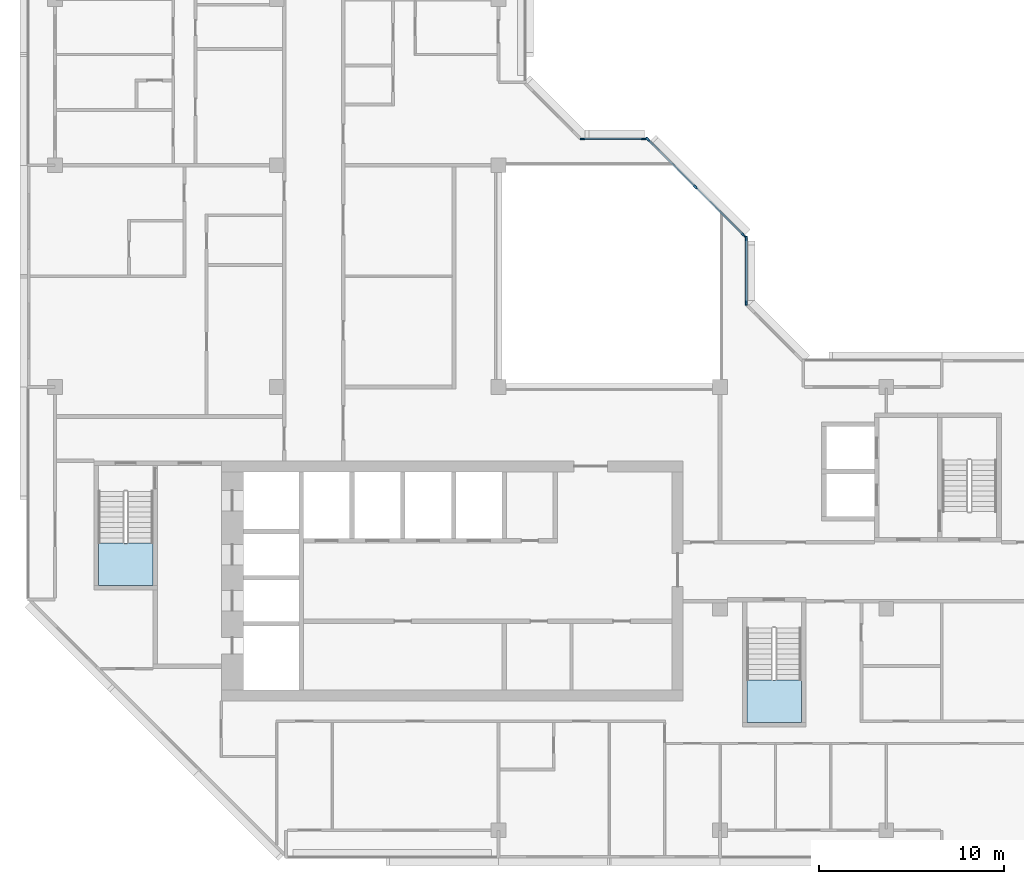
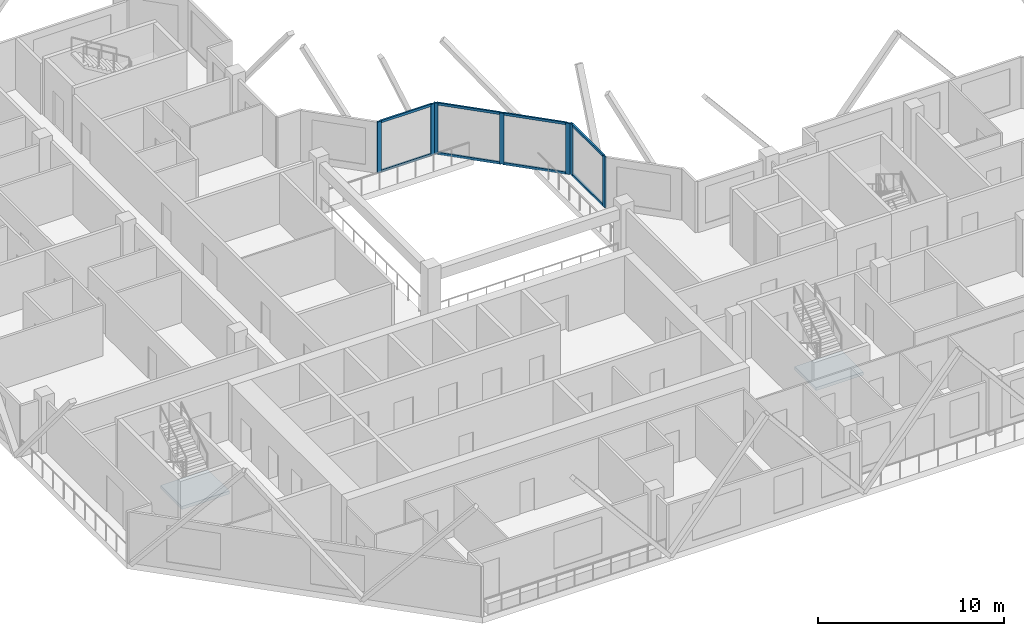
# One storey, part 2 of 13: 15 members, 2 slabs, 5 elements without a shape of their own.
"""IFC4 building model written with IfcOpenShell, lengths in metres."""

from ifc_helpers import new_model, si_unit, direction, frame, origin, origin_2d, place, context, subcontext, project, spatial, polyline, rectangle, outline, extrude, material, layer, layer_set, material_profile, profile_set, type_object, element, aggregate, save


model = new_model("IFC4")

# Units and contexts
model_context = context("Model", 3, precision=1e-05, world=origin(), true_north=direction((0.0, 1.0)))
body_context = subcontext(model_context, "Body", "Model", "MODEL_VIEW")
ifc_project = project(units=[si_unit("LENGTHUNIT", "METRE"), si_unit("AREAUNIT", "SQUARE_METRE"), si_unit("VOLUMEUNIT", "CUBIC_METRE"), si_unit("PLANEANGLEUNIT", "RADIAN"), si_unit("MASSUNIT", "GRAM", prefix="KILO")], contexts=[model_context])

# Site, building, storey
site_placement = place(None, origin())
site = spatial("IfcSite", under=ifc_project, at=site_placement, CompositionType="ELEMENT")
building_placement = place(site_placement, origin())
building = spatial("IfcBuilding", under=site, at=building_placement, Name="Chenar Terraces", CompositionType="ELEMENT")
storey_placement = place(building_placement, frame((0.0, 0.0, 295.89990234375)))
storey = spatial("IfcBuildingStorey", under=building, at=storey_placement, Name="L69", CompositionType="ELEMENT", Elevation=295.89990234375)

# Curtain wall, members
ifc_material_1 = material(Name="Aluminium framed glazing", Category="aluminium")
ifc_layer_1 = layer(ifc_material_1, 0.14990234375)
ifc_layer_set_1 = layer_set([ifc_layer_1], Name="Aluminium framed glazing")
curtain_wall_type = type_object("IfcCurtainWallType", Name="Atrium upper-zone curtain wall", PredefinedType="NOTDEFINED", material=ifc_layer_set_1)
placement_1 = place(storey_placement, origin())
curtain_wall_1 = element("IfcCurtainWall", 1, at=placement_1, inside=storey, type_object=curtain_wall_type, Name="Atrium upper-zone curtain wall", PredefinedType="NOTDEFINED")
ifc_material_2 = material(Name="Aluminium", Category="aluminium")
ifc_material_profile_1 = material_profile(ifc_material_2, rectangle(XDim=0.10009765625, YDim=0.239990234375, at=origin_2d()), Name="Atrium upper-zone glazing mullion 100 x 240")
ifc_profile_set_1 = profile_set([ifc_material_profile_1], Name="Aluminium")
member_type_1 = type_object("IfcMemberType", Name="Atrium upper-zone glazing mullion 100 x 240", PredefinedType="MULLION", material=ifc_profile_set_1)
member_1_placement = place(storey_placement, frame((37.425048828125, 28.550048828125, 0.0), z_axis=(0.0, 0.0, 1.0), x_axis=(-1.0, 0.0, 0.0)))
member_1 = element("IfcMember", 2, at=member_1_placement, type_object=member_type_1, Name="CW8-1 mullion 1", PredefinedType="MULLION", context=body_context, shape_type="SweptSolid", body=[
    extrude(rectangle(XDim=0.10009765625, YDim=0.239990234375, at=origin_2d()), origin(), (0.0, 0.0, 1.0), 3.35009765625),
])
member_2_placement = place(storey_placement, frame((37.425048828125, 32.050048828125, 0.0), z_axis=(0.0, 0.0, 1.0), x_axis=(-1.0, 0.0, 0.0)))
member_2 = element("IfcMember", 3, at=member_2_placement, type_object=member_type_1, Name="CW8-1 mullion 2", PredefinedType="MULLION", context=body_context, shape_type="SweptSolid", body=[
    extrude(rectangle(XDim=0.10009765625, YDim=0.239990234375, at=origin_2d()), origin(), (0.0, 0.0, 1.0), 3.35009765625),
])

curtain_wall_2 = element("IfcCurtainWall", 4, at=placement_1, inside=storey, type_object=curtain_wall_type, Name="Atrium upper-zone curtain wall", PredefinedType="NOTDEFINED")
member_3_placement = place(storey_placement, frame((37.270263671875, 32.2236328125, 0.0), z_axis=(0.0, 0.0, 1.0), x_axis=(-0.707106781187, -0.707106781187, 0.0)))
member_3 = element("IfcMember", 5, at=member_3_placement, type_object=member_type_1, Name="CW8-2 mullion 1", PredefinedType="MULLION", context=body_context, shape_type="SweptSolid", body=[
    extrude(rectangle(XDim=0.10009765625, YDim=0.239990234375, at=origin_2d()), origin(), (0.0, 0.0, 1.0), 3.35009765625),
])
member_4_placement = place(storey_placement, frame((34.67626953125, 34.817626953125, 0.0), z_axis=(0.0, 0.0, 1.0), x_axis=(-0.707106781187, -0.707106781187, 0.0)))
member_4 = element("IfcMember", 6, at=member_4_placement, type_object=member_type_1, Name="CW8-2 mullion 2", PredefinedType="MULLION", context=body_context, shape_type="SweptSolid", body=[
    extrude(rectangle(XDim=0.10009765625, YDim=0.239990234375, at=origin_2d()), origin(), (0.0, 0.0, 1.0), 3.35009765625),
])
member_5_placement = place(storey_placement, frame((32.082275390625, 37.41162109375, 0.0), z_axis=(0.0, 0.0, 1.0), x_axis=(-0.707106781187, -0.707106781187, 0.0)))
member_5 = element("IfcMember", 7, at=member_5_placement, type_object=member_type_1, Name="CW8-2 mullion 3", PredefinedType="MULLION", context=body_context, shape_type="SweptSolid", body=[
    extrude(rectangle(XDim=0.10009765625, YDim=0.239990234375, at=origin_2d()), origin(), (0.0, 0.0, 1.0), 3.35009765625),
])

curtain_wall_3 = element("IfcCurtainWall", 8, at=placement_1, inside=storey, type_object=curtain_wall_type, Name="Atrium upper-zone curtain wall", PredefinedType="NOTDEFINED")
member_6_placement = place(storey_placement, frame((31.85009765625, 37.425048828125, 0.0), z_axis=(0.0, 0.0, 1.0), x_axis=(0.0, -1.0, 0.0)))
member_6 = element("IfcMember", 9, at=member_6_placement, type_object=member_type_1, Name="CW8-3 mullion 1", PredefinedType="MULLION", context=body_context, shape_type="SweptSolid", body=[
    extrude(rectangle(XDim=0.10009765625, YDim=0.239990234375, at=origin_2d()), origin(), (0.0, 0.0, 1.0), 3.35009765625),
])
member_7_placement = place(storey_placement, frame((28.550048828125, 37.425048828125, 0.0), z_axis=(0.0, 0.0, 1.0), x_axis=(0.0, -1.0, 0.0)))
member_7 = element("IfcMember", 10, at=member_7_placement, type_object=member_type_1, Name="CW8-3 mullion 2", PredefinedType="MULLION", context=body_context, shape_type="SweptSolid", body=[
    extrude(rectangle(XDim=0.10009765625, YDim=0.239990234375, at=origin_2d()), origin(), (0.0, 0.0, 1.0), 3.35009765625),
])

# Member
ifc_material_3 = material(Name="Aluminium", Category="aluminium")
ifc_material_profile_2 = material_profile(ifc_material_3, rectangle(XDim=0.10009765625, YDim=0.159912109375, at=origin_2d()), Name="Atrium upper-zone glazing transom 100 x 160")
ifc_profile_set_2 = profile_set([ifc_material_profile_2], Name="Aluminium")
member_type_2 = type_object("IfcMemberType", Name="Atrium upper-zone glazing transom 100 x 160", PredefinedType="USERDEFINED", material=ifc_profile_set_2)
member_8_placement = place(storey_placement, frame((37.425048828125, 28.60009765625, 0.050048828125), z_axis=(0.0, 1.0, 0.0), x_axis=(-1.0, 0.0, 0.0)))
member_8 = element("IfcMember", 11, at=member_8_placement, type_object=member_type_2, Name="CW8-1 transom 1.1", ObjectType="TRANSOM", PredefinedType="USERDEFINED", context=body_context, shape_type="SweptSolid", body=[
    extrude(rectangle(XDim=0.10009765625, YDim=0.159912109375, at=origin_2d()), origin(), (0.0, 0.0, 1.0), 3.39990234375),
])

member_9_placement = place(storey_placement, frame((37.425048828125, 28.60009765625, 3.300048828125), z_axis=(0.0, 1.0, 0.0), x_axis=(-1.0, 0.0, 0.0)))
member_9 = element("IfcMember", 12, at=member_9_placement, type_object=member_type_2, Name="CW8-1 transom 1.2", ObjectType="TRANSOM", PredefinedType="USERDEFINED", context=body_context, shape_type="SweptSolid", body=[
    extrude(rectangle(XDim=0.10009765625, YDim=0.159912109375, at=origin_2d()), origin(), (0.0, 0.0, 1.0), 3.39990234375),
])

aggregate(curtain_wall_1, [member_1, member_2, member_8, member_9])

member_10_placement = place(storey_placement, frame((37.23486328125, 32.259033203125, 0.050048828125), z_axis=(-0.707106781187, 0.707106781187, 0.0), x_axis=(-0.707106781187, -0.707106781187, 0.0)))
member_10 = element("IfcMember", 13, at=member_10_placement, type_object=member_type_2, Name="CW8-2 transom 1.1", ObjectType="TRANSOM", PredefinedType="USERDEFINED", context=body_context, shape_type="SweptSolid", body=[
    extrude(rectangle(XDim=0.10009765625, YDim=0.159912109375, at=origin_2d()), origin(), (0.0, 0.0, 1.0), 3.568359375),
])

member_11_placement = place(storey_placement, frame((37.23486328125, 32.259033203125, 3.300048828125), z_axis=(-0.707106781187, 0.707106781187, 0.0), x_axis=(-0.707106781187, -0.707106781187, 0.0)))
member_11 = element("IfcMember", 14, at=member_11_placement, type_object=member_type_2, Name="CW8-2 transom 1.2", ObjectType="TRANSOM", PredefinedType="USERDEFINED", context=body_context, shape_type="SweptSolid", body=[
    extrude(rectangle(XDim=0.10009765625, YDim=0.159912109375, at=origin_2d()), origin(), (0.0, 0.0, 1.0), 3.568359375),
])

member_12_placement = place(storey_placement, frame((34.640869140625, 34.85302734375, 0.050048828125), z_axis=(-0.707106781187, 0.707106781187, 0.0), x_axis=(-0.707106781187, -0.707106781187, 0.0)))
member_12 = element("IfcMember", 15, at=member_12_placement, type_object=member_type_2, Name="CW8-2 transom 2.1", ObjectType="TRANSOM", PredefinedType="USERDEFINED", context=body_context, shape_type="SweptSolid", body=[
    extrude(rectangle(XDim=0.10009765625, YDim=0.159912109375, at=origin_2d()), origin(), (0.0, 0.0, 1.0), 3.568359375),
])

member_13_placement = place(storey_placement, frame((34.640869140625, 34.85302734375, 3.300048828125), z_axis=(-0.707106781187, 0.707106781187, 0.0), x_axis=(-0.707106781187, -0.707106781187, 0.0)))
member_13 = element("IfcMember", 16, at=member_13_placement, type_object=member_type_2, Name="CW8-2 transom 2.2", ObjectType="TRANSOM", PredefinedType="USERDEFINED", context=body_context, shape_type="SweptSolid", body=[
    extrude(rectangle(XDim=0.10009765625, YDim=0.159912109375, at=origin_2d()), origin(), (0.0, 0.0, 1.0), 3.568359375),
])

aggregate(curtain_wall_2, [member_3, member_4, member_5, member_10, member_11, member_12, member_13])

member_14_placement = place(storey_placement, frame((31.800048828125, 37.425048828125, 0.050048828125), z_axis=(-1.0, 0.0, 0.0), x_axis=(0.0, -1.0, 0.0)))
member_14 = element("IfcMember", 17, at=member_14_placement, type_object=member_type_2, Name="CW8-3 transom 1.1", ObjectType="TRANSOM", PredefinedType="USERDEFINED", context=body_context, shape_type="SweptSolid", body=[
    extrude(rectangle(XDim=0.10009765625, YDim=0.159912109375, at=origin_2d()), origin(), (0.0, 0.0, 1.0), 3.199951171875),
])

member_15_placement = place(storey_placement, frame((31.800048828125, 37.425048828125, 3.300048828125), z_axis=(-1.0, 0.0, 0.0), x_axis=(0.0, -1.0, 0.0)))
member_15 = element("IfcMember", 18, at=member_15_placement, type_object=member_type_2, Name="CW8-3 transom 1.2", ObjectType="TRANSOM", PredefinedType="USERDEFINED", context=body_context, shape_type="SweptSolid", body=[
    extrude(rectangle(XDim=0.10009765625, YDim=0.159912109375, at=origin_2d()), origin(), (0.0, 0.0, 1.0), 3.199951171875),
])

aggregate(curtain_wall_3, [member_6, member_7, member_14, member_15])

# Stair, slab
ifc_material_4 = material(Name="Reinforced concrete C40/50", Category="concrete")
stair_type = type_object("IfcStairType", Name="Core stair 1400 half-turn", PredefinedType="HALF_TURN_STAIR", material=ifc_material_4)
stair_1 = element("IfcStair", 19, at=placement_1, inside=storey, type_object=stair_type, Name="L69 Stair 1", PredefinedType="HALF_TURN_STAIR")
ifc_material_5 = material(Name="Reinforced concrete C40/50", Category="concrete")
ifc_layer_2 = layer(ifc_material_5, 0.199951171875)
ifc_layer_set_2 = layer_set([ifc_layer_2], Name="Reinforced concrete C40/50")
slab_type = type_object("IfcSlabType", Name="Core stair landing 200", PredefinedType="LANDING", material=ifc_layer_set_2)
placement_2 = place(storey_placement, frame((0.0, 0.0, 1.675048828125)))
slab_1 = element("IfcSlab", 20, at=placement_2, type_object=slab_type, Name="ST1 landing 1", PredefinedType="LANDING", context=body_context, shape_type="SweptSolid", body=[
    extrude(outline(polyline([(2.35009765625, 15.550048828125), (2.35009765625, 13.25), (5.300048828125, 13.25), (5.300048828125, 15.550048828125), (2.35009765625, 15.550048828125)])), origin(), (0.0, 0.0, 1.0), 0.199951171875),
])
aggregate(stair_1, [slab_1])

stair_2 = element("IfcStair", 21, at=placement_1, inside=storey, type_object=stair_type, Name="L69 Stair 2", PredefinedType="HALF_TURN_STAIR")
slab_2 = element("IfcSlab", 22, at=placement_2, type_object=slab_type, Name="ST2 landing 1", PredefinedType="LANDING", context=body_context, shape_type="SweptSolid", body=[
    extrude(outline(polyline([(37.449951171875, 8.14990234375), (37.449951171875, 5.85009765625), (40.39990234375, 5.85009765625), (40.39990234375, 8.14990234375), (37.449951171875, 8.14990234375)])), origin(), (0.0, 0.0, 1.0), 0.199951171875),
])
aggregate(stair_2, [slab_2])

save(model, "model.ifc")
